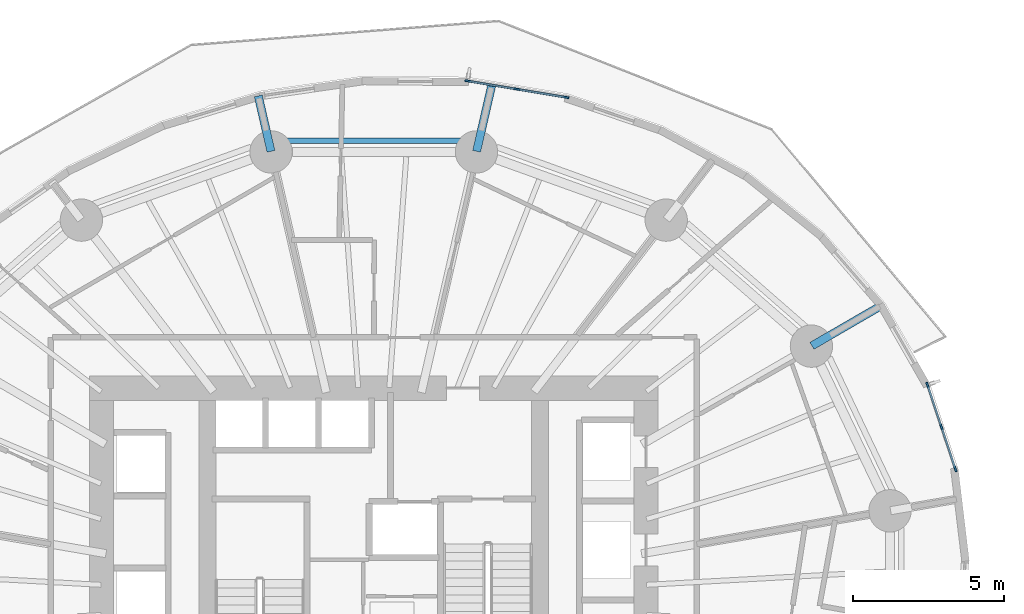
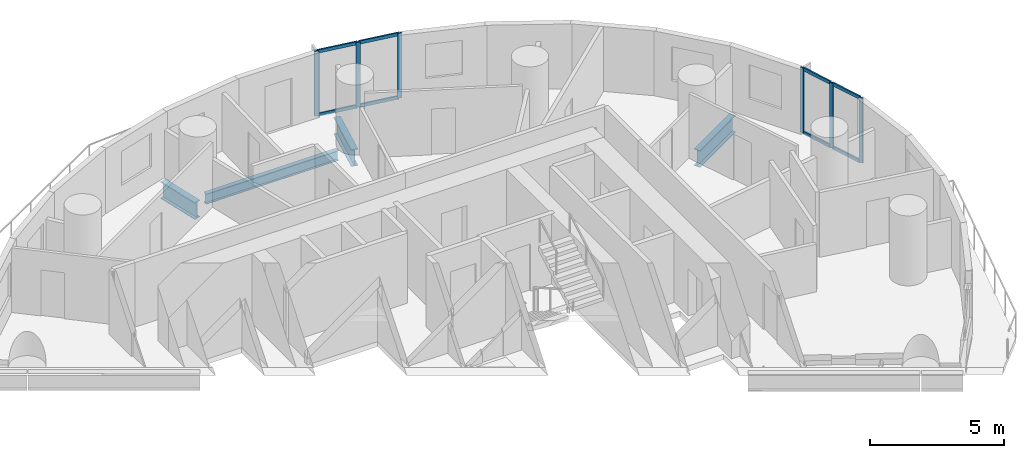
# One storey, part 3 of 13: 14 members, 4 beams, 2 elements without a shape of their own.
"""IFC4 building model written with IfcOpenShell, lengths in metres."""

import ifcopenshell
import ifcopenshell.guid

model = None  # the IFC model being written
_history = None  # IfcOwnerHistory: only IFC2X3 demands one
_inside = {}  # id of a spatial element -> (the spatial element, [elements in it])
_under = {}  # id of a project, library or spatial element -> (it, [spatial elements below it])
_declared = {}  # id of a project -> (the project, [libraries it declares])
_typed = {}  # id of a type object -> (the type object, [elements of that type])
_made_of = {}  # id of a material, layer set ... -> (it, [elements and type objects made of it])


def new_model(schema):
    """Start an empty IFC model of exactly this schema.

    Asked for "IFC4X3", IfcOpenShell would pick the latest addendum, in which some entities
    have other attributes; the version numbers below select the first issue.
    IFC2X3 requires an IfcOwnerHistory on every rooted entity: one is made here for all.
    """
    global model, _history
    if schema == "IFC4X3":
        model = ifcopenshell.file(schema_version=(4, 3, 0, 0))
    else:
        model = ifcopenshell.file(schema=schema)
    _inside.clear()
    _under.clear()
    _declared.clear()
    _typed.clear()
    _made_of.clear()
    _history = None
    if model.schema == "IFC2X3":
        org = make("IfcOrganization", Name="unknown")
        user = make(
            "IfcPersonAndOrganization",
            ThePerson=make("IfcPerson", FamilyName="unknown"),
            TheOrganization=org,
        )
        app = make(
            "IfcApplication",
            ApplicationDeveloper=org,
            Version="unknown",
            ApplicationFullName="unknown",
            ApplicationIdentifier="unknown",
        )
        _history = make(
            "IfcOwnerHistory",
            OwningUser=user,
            OwningApplication=app,
            ChangeAction="ADDED",
            CreationDate=0,
        )
    return model


def make(cls, **values):
    """One entity of the class cls with the attributes given. An attribute that is None is left unset."""
    return model.create_entity(
        cls, **{name: value for name, value in values.items() if value is not None}
    )


def rooted(cls, **values):
    """An entity with a GlobalId (a new one), such as an element, a storey or a relation."""
    return make(cls, GlobalId=ifcopenshell.guid.new(), OwnerHistory=_history, **values)


def si_unit(unit_type, name, prefix=None):
    """IfcSIUnit, for example si_unit("LENGTHUNIT", "METRE", prefix="MILLI")."""
    return make("IfcSIUnit", UnitType=unit_type, Prefix=prefix, Name=name)


def assignment(units):
    """IfcUnitAssignment: the units of a project."""
    return None if units is None else make("IfcUnitAssignment", Units=units)


def point(xyz):
    """IfcCartesianPoint."""
    return None if xyz is None else make("IfcCartesianPoint", Coordinates=xyz)


def direction(xyz):
    """IfcDirection."""
    return None if xyz is None else make("IfcDirection", DirectionRatios=xyz)


def frame(location, z_axis=None, x_axis=None):
    """IfcAxis2Placement3D, a coordinate frame: its origin and axes. An axis left out is left unset."""
    return make(
        "IfcAxis2Placement3D",
        Location=point(location),
        Axis=direction(z_axis),
        RefDirection=direction(x_axis),
    )


def frame_2d(location, x_axis=None):
    """IfcAxis2Placement2D, a coordinate frame in the plane: its origin and x axis."""
    return make(
        "IfcAxis2Placement2D", Location=point(location), RefDirection=direction(x_axis)
    )


def origin():
    """The frame at (0, 0, 0) with its axes left unset."""
    return frame((0.0, 0.0, 0.0))


def origin_2d():
    """The frame at (0, 0) in the plane with its x axis left unset."""
    return frame_2d((0.0, 0.0))


def place(relative_to, where):
    """IfcLocalPlacement: puts the frame where relative to a parent placement (None: the world)."""
    return make(
        "IfcLocalPlacement", PlacementRelTo=relative_to, RelativePlacement=where
    )


def context(
    kind, dimensions, precision=None, world=None, true_north=None, identifier=None
):
    """IfcGeometricRepresentationContext, for example the 3D "Model" context."""
    return make(
        "IfcGeometricRepresentationContext",
        ContextIdentifier=identifier,
        ContextType=kind,
        CoordinateSpaceDimension=dimensions,
        Precision=precision,
        WorldCoordinateSystem=world,
        TrueNorth=true_north,
    )


def subcontext(parent, identifier, kind, view, scale=None):
    """IfcGeometricRepresentationSubContext, for example "Body" below "Model"."""
    return make(
        "IfcGeometricRepresentationSubContext",
        ContextIdentifier=identifier,
        ContextType=kind,
        ParentContext=parent,
        TargetScale=scale,
        TargetView=view,
    )


def project(units=None, contexts=None):
    """IfcProject with its units and contexts."""
    return rooted(
        "IfcProject",
        Name="project",
        RepresentationContexts=contexts,
        UnitsInContext=assignment(units),
    )


def spatial(cls, under=None, at=None, **own):
    """A site, building, storey or space (cls), placed at a placement, below another one or the project."""
    s = rooted(cls, ObjectPlacement=at, **own)
    if under is not None:
        _under.setdefault(under.id(), (under, []))[1].append(s)
    return s


def profile(cls, at=None, kind="AREA", **sizes):
    """A parametric profile (cls). Its sizes go by their IFC names, for example OverallWidth=200.0."""
    return make(cls, ProfileType=kind, Position=at, **sizes)


def rectangle(**sizes):
    """IfcRectangleProfileDef."""
    return profile("IfcRectangleProfileDef", **sizes)


def i_section(**sizes):
    """IfcIShapeProfileDef."""
    return profile("IfcIShapeProfileDef", **sizes)


def extrude(swept, where, along, depth):
    """IfcExtrudedAreaSolid: the profile swept, set in the frame where, extruded along a direction by depth."""
    return make(
        "IfcExtrudedAreaSolid",
        SweptArea=swept,
        Position=where,
        ExtrudedDirection=direction(along),
        Depth=depth,
    )


def shape(context_of_items, identifier, shape_type, items):
    """IfcShapeRepresentation: the items that make up one representation, for example the "Body"."""
    return make(
        "IfcShapeRepresentation",
        ContextOfItems=context_of_items,
        RepresentationIdentifier=identifier,
        RepresentationType=shape_type,
        Items=items,
    )


def material(Name=None, Category=None):
    """IfcMaterial."""
    return make("IfcMaterial", Name=Name, Category=Category)


def material_profile(
    of_material, cross_section, Name=None, Category=None, Priority=None
):
    """IfcMaterialProfile: a cross section and its material."""
    return make(
        "IfcMaterialProfile",
        Name=Name,
        Material=of_material,
        Profile=cross_section,
        Priority=Priority,
        Category=Category,
    )


def profile_set(profiles, Name=None, composite=None):
    """IfcMaterialProfileSet."""
    return make(
        "IfcMaterialProfileSet",
        Name=Name,
        MaterialProfiles=profiles,
        CompositeProfile=composite,
    )


def made_of(thing, what):
    """Note that an element or type object is made of a material, layer set ...; save() writes the relation."""
    if what is not None:
        _made_of.setdefault(what.id(), (what, []))[1].append(thing)
    return thing


def type_object(cls, material=None, **own):
    """A type object (cls), such as IfcWallType, which elements share."""
    return made_of(rooted(cls, **own), material)


def element(
    cls,
    number,
    at=None,
    inside=None,
    cuts=None,
    type_object=None,
    material=None,
    context=None,
    identifier="Body",
    shape_type=None,
    held_by="IfcProductDefinitionShape",
    body=None,
    shapes=None,
    **own,
):
    """One element of the class cls, such as IfcWall. Its Tag is "e" and its number.

    at: its placement. inside: the storey or other place that contains it. cuts: it is an
    opening in that element (IfcRelVoidsElement). A single representation is given by context,
    identifier, shape_type and body (its items); several are given by shapes. held_by: the class
    of the entity that holds the representations. save() writes the other relations.
    """
    e = rooted(cls, Tag="e%d" % number, ObjectPlacement=at, **own)
    if body is not None:
        shapes = [shape(context, identifier, shape_type, body)]
    if shapes is not None:
        e.Representation = make(held_by, Representations=shapes)
    if inside is not None:
        _inside.setdefault(inside.id(), (inside, []))[1].append(e)
    if cuts is not None:
        rooted(
            "IfcRelVoidsElement", RelatingBuildingElement=cuts, RelatedOpeningElement=e
        )
    if type_object is not None:
        _typed.setdefault(type_object.id(), (type_object, []))[1].append(e)
    return made_of(e, material)


def aggregate(whole, parts):
    """IfcRelAggregates: a whole, such as a stair, and the parts it consists of."""
    return rooted("IfcRelAggregates", RelatingObject=whole, RelatedObjects=parts)


def save(model, path):
    """Write the relations noted so far, then the file.

    IfcRelAggregates (storeys below a building ...), IfcRelContainedInSpatialStructure (elements
    in a storey), IfcRelDefinesByType, IfcRelAssociatesMaterial and IfcRelDeclares: one each for
    every whole, place, type object, material and project.
    """
    for whole, parts in _under.values():
        aggregate(whole, parts)
    for where, things in _inside.values():
        rooted(
            "IfcRelContainedInSpatialStructure",
            RelatedElements=things,
            RelatingStructure=where,
        )
    for kind, things in _typed.values():
        rooted("IfcRelDefinesByType", RelatedObjects=things, RelatingType=kind)
    for what, things in _made_of.values():
        rooted("IfcRelAssociatesMaterial", RelatedObjects=things, RelatingMaterial=what)
    for by, libraries in _declared.values():
        rooted("IfcRelDeclares", RelatingContext=by, RelatedDefinitions=libraries)
    model.write(path)


model = new_model("IFC4")

# Units and contexts
model_context = context("Model", 3, precision=1e-05, world=origin(), true_north=direction((0.0, 1.0)))
body_context = subcontext(model_context, "Body", "Model", "MODEL_VIEW")
ifc_project = project(units=[si_unit("LENGTHUNIT", "METRE"), si_unit("AREAUNIT", "SQUARE_METRE"), si_unit("VOLUMEUNIT", "CUBIC_METRE"), si_unit("PLANEANGLEUNIT", "RADIAN"), si_unit("MASSUNIT", "GRAM", prefix="KILO")], contexts=[model_context])

# Site, building, storey
site_placement = place(None, origin())
site = spatial("IfcSite", under=ifc_project, at=site_placement, CompositionType="ELEMENT")
building_placement = place(site_placement, origin())
building = spatial("IfcBuilding", under=site, at=building_placement, Name="Veldorim Arch Residences", CompositionType="ELEMENT")
storey_placement = place(building_placement, frame((0.0, 0.0, 53.60009765625)))
storey = spatial("IfcBuildingStorey", under=building, at=storey_placement, Name="L15", CompositionType="ELEMENT", Elevation=53.60009765625)

# Beams
ifc_material_1 = material(Name="Steel S355", Category="steel")
ifc_material_profile_1 = material_profile(ifc_material_1, i_section(OverallWidth=0.26806640625, OverallDepth=0.769775390625, WebThickness=0.015625, FlangeThickness=0.025390625, at=origin_2d()), Name="UB762x267x197")
ifc_profile_set_1 = profile_set([ifc_material_profile_1], Name="Steel S355")
beam_type_1 = type_object("IfcBeamType", Name="Structural Steel GIRDER UB762x267x197", PredefinedType="USERDEFINED", material=ifc_profile_set_1)
beam_1_placement = place(storey_placement, frame((46.48486328125, 32.399169921875, -0.625), z_axis=(0.865102620341, 0.501594912534, 0.0), x_axis=(-0.501594912534, 0.865102620341, 0.0)))
element("IfcBeam", 1, at=beam_1_placement, inside=storey, type_object=beam_type_1, Name="L15 radial edge cantilever girder 02", ObjectType="GIRDER", PredefinedType="USERDEFINED", context=body_context, shape_type="SweptSolid", body=[
    extrude(i_section(OverallWidth=0.26806640625, OverallDepth=0.769775390625, WebThickness=0.015625, FlangeThickness=0.025390625, at=origin_2d()), origin(), (0.0, 0.0, 1.0), 2.669677734375),
])
beam_2_placement = place(storey_placement, frame((35.399169921875, 38.829345703125, -0.625), z_axis=(0.223363216183, 0.974735283888, 0.0), x_axis=(-0.974735283888, 0.223363216183, 0.0)))
element("IfcBeam", 2, at=beam_2_placement, inside=storey, type_object=beam_type_1, Name="L15 radial edge cantilever girder 04", ObjectType="GIRDER", PredefinedType="USERDEFINED", context=body_context, shape_type="SweptSolid", body=[
    extrude(i_section(OverallWidth=0.26806640625, OverallDepth=0.769775390625, WebThickness=0.015625, FlangeThickness=0.025390625, at=origin_2d()), origin(), (0.0, 0.0, 1.0), 2.24072265625),
])
beam_3_placement = place(storey_placement, frame((28.600830078125, 38.829345703125, -0.625), z_axis=(-0.223322154624, 0.974744692345, 0.0), x_axis=(-0.974744692345, -0.223322154624, 0.0)))
element("IfcBeam", 3, at=beam_3_placement, inside=storey, type_object=beam_type_1, Name="L15 radial edge cantilever girder 05", ObjectType="GIRDER", PredefinedType="USERDEFINED", context=body_context, shape_type="SweptSolid", body=[
    extrude(i_section(OverallWidth=0.26806640625, OverallDepth=0.769775390625, WebThickness=0.015625, FlangeThickness=0.025390625, at=origin_2d()), origin(), (0.0, 0.0, 1.0), 1.879150390625),
])
ifc_material_2 = material(Name="Steel S355", Category="steel")
ifc_material_profile_2 = material_profile(ifc_material_2, i_section(OverallWidth=0.19140625, OverallDepth=0.4599609375, WebThickness=0.010009765625, FlangeThickness=0.01611328125, at=origin_2d()), Name="UB457x191x82")
ifc_profile_set_2 = profile_set([ifc_material_profile_2], Name="Steel S355")
beam_type_2 = type_object("IfcBeamType", Name="Structural Steel Spandrel UB457x191x82", PredefinedType="SPANDREL", material=ifc_profile_set_2)
beam_4_placement = place(storey_placement, frame((34.863525390625, 39.180419921875, -0.489990234375), z_axis=(-1.0, 0.0, 0.0), x_axis=(0.0, -1.0, 0.0)))
element("IfcBeam", 4, at=beam_4_placement, inside=storey, type_object=beam_type_2, Name="L15 perimeter chord spandrel beam 04", PredefinedType="SPANDREL", context=body_context, shape_type="SweptSolid", body=[
    extrude(i_section(OverallWidth=0.19140625, OverallDepth=0.4599609375, WebThickness=0.010009765625, FlangeThickness=0.01611328125, at=origin_2d()), origin(), (0.0, 0.0, 1.0), 5.72705078125),
])

# Curtain wall, members
ifc_material_3 = material(Name="Aluminium", Category="aluminium")
curtain_wall_type = type_object("IfcCurtainWallType", Name="Zone 1 Acoustic Low-E Unitised Curtain Wall", PredefinedType="NOTDEFINED", material=ifc_material_3)
curtain_wall_1_placement = place(storey_placement, origin())
curtain_wall_1 = element("IfcCurtainWall", 5, at=curtain_wall_1_placement, inside=storey, type_object=curtain_wall_type, Name="L15 unitised curtain wall bay 01", PredefinedType="NOTDEFINED")
ifc_material_4 = material(Name="Aluminium", Category="aluminium")
ifc_material_profile_3 = material_profile(ifc_material_4, rectangle(XDim=0.06494140625, YDim=0.175048828125, at=origin_2d()), Name="ALU_MUL_65x175")
ifc_profile_set_3 = profile_set([ifc_material_profile_3], Name="Aluminium")
member_type_1 = type_object("IfcMemberType", Name="Zone 1 Acoustic Low-E Unitised Curtain Wall Mullion 65x175", PredefinedType="MULLION", material=ifc_profile_set_3)
member_1_placement = place(storey_placement, frame((50.302978515625, 31.109130859375, 0.0), z_axis=(0.0, 0.0, 1.0), x_axis=(0.949145327477, 0.314838287583, 0.0)))
member_1 = element("IfcMember", 6, at=member_1_placement, type_object=member_type_1, Name="CW-Z1 mullion 1", PredefinedType="MULLION", context=body_context, shape_type="SweptSolid", body=[
    extrude(rectangle(XDim=0.06494140625, YDim=0.175048828125, at=origin_2d()), origin(), (0.0, 0.0, 1.0), 2.9599609375),
])
member_2_placement = place(storey_placement, frame((50.76513671875, 29.715576171875, 0.0), z_axis=(0.0, 0.0, 1.0), x_axis=(0.949145327477, 0.314838287583, 0.0)))
member_2 = element("IfcMember", 7, at=member_2_placement, type_object=member_type_1, Name="CW-Z1 mullion 2", PredefinedType="MULLION", context=body_context, shape_type="SweptSolid", body=[
    extrude(rectangle(XDim=0.06494140625, YDim=0.175048828125, at=origin_2d()), origin(), (0.0, 0.0, 1.0), 2.9599609375),
])
member_3_placement = place(storey_placement, frame((51.2275390625, 28.32177734375, 0.0), z_axis=(0.0, 0.0, 1.0), x_axis=(0.949145327477, 0.314838287583, 0.0)))
member_3 = element("IfcMember", 8, at=member_3_placement, type_object=member_type_1, Name="CW-Z1 mullion 3", PredefinedType="MULLION", context=body_context, shape_type="SweptSolid", body=[
    extrude(rectangle(XDim=0.06494140625, YDim=0.175048828125, at=origin_2d()), origin(), (0.0, 0.0, 1.0), 2.9599609375),
])

curtain_wall_2_placement = place(storey_placement, origin())
curtain_wall_2 = element("IfcCurtainWall", 9, at=curtain_wall_2_placement, inside=storey, type_object=curtain_wall_type, Name="L15 unitised curtain wall bay 07", PredefinedType="NOTDEFINED")
member_4_placement = place(storey_placement, frame((35.100341796875, 41.156494140625, 0.0), z_axis=(0.0, 0.0, 1.0), x_axis=(0.164211592169, 0.98642513806, 0.0)))
member_4 = element("IfcMember", 10, at=member_4_placement, type_object=member_type_1, Name="CW-Z1 mullion 1", PredefinedType="MULLION", context=body_context, shape_type="SweptSolid", body=[
    extrude(rectangle(XDim=0.06494140625, YDim=0.175048828125, at=origin_2d()), origin(), (0.0, 0.0, 1.0), 2.9599609375),
])
member_5_placement = place(storey_placement, frame((36.73291015625, 40.884765625, 0.0), z_axis=(0.0, 0.0, 1.0), x_axis=(0.164211592169, 0.98642513806, 0.0)))
member_5 = element("IfcMember", 11, at=member_5_placement, type_object=member_type_1, Name="CW-Z1 mullion 2", PredefinedType="MULLION", context=body_context, shape_type="SweptSolid", body=[
    extrude(rectangle(XDim=0.06494140625, YDim=0.175048828125, at=origin_2d()), origin(), (0.0, 0.0, 1.0), 2.9599609375),
])
member_6_placement = place(storey_placement, frame((38.365234375, 40.613037109375, 0.0), z_axis=(0.0, 0.0, 1.0), x_axis=(0.164211592169, 0.98642513806, 0.0)))
member_6 = element("IfcMember", 12, at=member_6_placement, type_object=member_type_1, Name="CW-Z1 mullion 3", PredefinedType="MULLION", context=body_context, shape_type="SweptSolid", body=[
    extrude(rectangle(XDim=0.06494140625, YDim=0.175048828125, at=origin_2d()), origin(), (0.0, 0.0, 1.0), 2.9599609375),
])

# Member
ifc_material_5 = material(Name="Aluminium", Category="aluminium")
ifc_material_profile_4 = material_profile(ifc_material_5, rectangle(XDim=0.06494140625, YDim=0.14990234375, at=origin_2d()), Name="ALU_TRN_65x150")
ifc_profile_set_4 = profile_set([ifc_material_profile_4], Name="Aluminium")
member_type_2 = type_object("IfcMemberType", Name="Zone 1 Acoustic Low-E Unitised Curtain Wall Transom 65x150", PredefinedType="USERDEFINED", material=ifc_profile_set_4)
member_7_placement = place(storey_placement, frame((50.313232421875, 31.078369140625, 0.032470703125), z_axis=(0.314870541877, -0.949134627889, 0.0), x_axis=(0.949134627889, 0.314870541877, 0.0)))
member_7 = element("IfcMember", 13, at=member_7_placement, type_object=member_type_2, Name="CW-Z1 transom 1.1", ObjectType="TRANSOM", PredefinedType="USERDEFINED", context=body_context, shape_type="SweptSolid", body=[
    extrude(rectangle(XDim=0.06494140625, YDim=0.14990234375, at=origin_2d()), origin(), (0.0, 0.0, 1.0), 1.4033203125),
])

member_8_placement = place(storey_placement, frame((50.313232421875, 31.078369140625, 2.927490234375), z_axis=(0.314870541877, -0.949134627889, 0.0), x_axis=(0.949134627889, 0.314870541877, 0.0)))
member_8 = element("IfcMember", 14, at=member_8_placement, type_object=member_type_2, Name="CW-Z1 transom 1.2", ObjectType="TRANSOM", PredefinedType="USERDEFINED", context=body_context, shape_type="SweptSolid", body=[
    extrude(rectangle(XDim=0.06494140625, YDim=0.14990234375, at=origin_2d()), origin(), (0.0, 0.0, 1.0), 1.4033203125),
])

member_9_placement = place(storey_placement, frame((50.775390625, 29.6845703125, 0.032470703125), z_axis=(0.314870541877, -0.949134627889, 0.0), x_axis=(0.949134627889, 0.314870541877, 0.0)))
member_9 = element("IfcMember", 15, at=member_9_placement, type_object=member_type_2, Name="CW-Z1 transom 2.1", ObjectType="TRANSOM", PredefinedType="USERDEFINED", context=body_context, shape_type="SweptSolid", body=[
    extrude(rectangle(XDim=0.06494140625, YDim=0.14990234375, at=origin_2d()), origin(), (0.0, 0.0, 1.0), 1.4033203125),
])

member_10_placement = place(storey_placement, frame((50.775390625, 29.6845703125, 2.927490234375), z_axis=(0.314870541877, -0.949134627889, 0.0), x_axis=(0.949134627889, 0.314870541877, 0.0)))
member_10 = element("IfcMember", 16, at=member_10_placement, type_object=member_type_2, Name="CW-Z1 transom 2.2", ObjectType="TRANSOM", PredefinedType="USERDEFINED", context=body_context, shape_type="SweptSolid", body=[
    extrude(rectangle(XDim=0.06494140625, YDim=0.14990234375, at=origin_2d()), origin(), (0.0, 0.0, 1.0), 1.4033203125),
])

aggregate(curtain_wall_1, [member_1, member_2, member_3, member_7, member_8, member_9, member_10])

member_11_placement = place(storey_placement, frame((35.13232421875, 41.151123046875, 0.032470703125), z_axis=(0.986435393672, -0.164149974445, 0.0), x_axis=(0.164149974445, 0.986435393672, 0.0)))
member_11 = element("IfcMember", 17, at=member_11_placement, type_object=member_type_2, Name="CW-Z1 transom 1.1", ObjectType="TRANSOM", PredefinedType="USERDEFINED", context=body_context, shape_type="SweptSolid", body=[
    extrude(rectangle(XDim=0.06494140625, YDim=0.14990234375, at=origin_2d()), origin(), (0.0, 0.0, 1.0), 1.58984375),
])

member_12_placement = place(storey_placement, frame((35.13232421875, 41.151123046875, 2.927490234375), z_axis=(0.986435393672, -0.164149974445, 0.0), x_axis=(0.164149974445, 0.986435393672, 0.0)))
member_12 = element("IfcMember", 18, at=member_12_placement, type_object=member_type_2, Name="CW-Z1 transom 1.2", ObjectType="TRANSOM", PredefinedType="USERDEFINED", context=body_context, shape_type="SweptSolid", body=[
    extrude(rectangle(XDim=0.06494140625, YDim=0.14990234375, at=origin_2d()), origin(), (0.0, 0.0, 1.0), 1.58984375),
])

member_13_placement = place(storey_placement, frame((36.764892578125, 40.87939453125, 0.032470703125), z_axis=(0.986435393672, -0.164149974445, 0.0), x_axis=(0.164149974445, 0.986435393672, 0.0)))
member_13 = element("IfcMember", 19, at=member_13_placement, type_object=member_type_2, Name="CW-Z1 transom 2.1", ObjectType="TRANSOM", PredefinedType="USERDEFINED", context=body_context, shape_type="SweptSolid", body=[
    extrude(rectangle(XDim=0.06494140625, YDim=0.14990234375, at=origin_2d()), origin(), (0.0, 0.0, 1.0), 1.58984375),
])

member_14_placement = place(storey_placement, frame((36.764892578125, 40.87939453125, 2.927490234375), z_axis=(0.986435393672, -0.164149974445, 0.0), x_axis=(0.164149974445, 0.986435393672, 0.0)))
member_14 = element("IfcMember", 20, at=member_14_placement, type_object=member_type_2, Name="CW-Z1 transom 2.2", ObjectType="TRANSOM", PredefinedType="USERDEFINED", context=body_context, shape_type="SweptSolid", body=[
    extrude(rectangle(XDim=0.06494140625, YDim=0.14990234375, at=origin_2d()), origin(), (0.0, 0.0, 1.0), 1.58984375),
])

aggregate(curtain_wall_2, [member_4, member_5, member_6, member_11, member_12, member_13, member_14])

save(model, "model.ifc")
